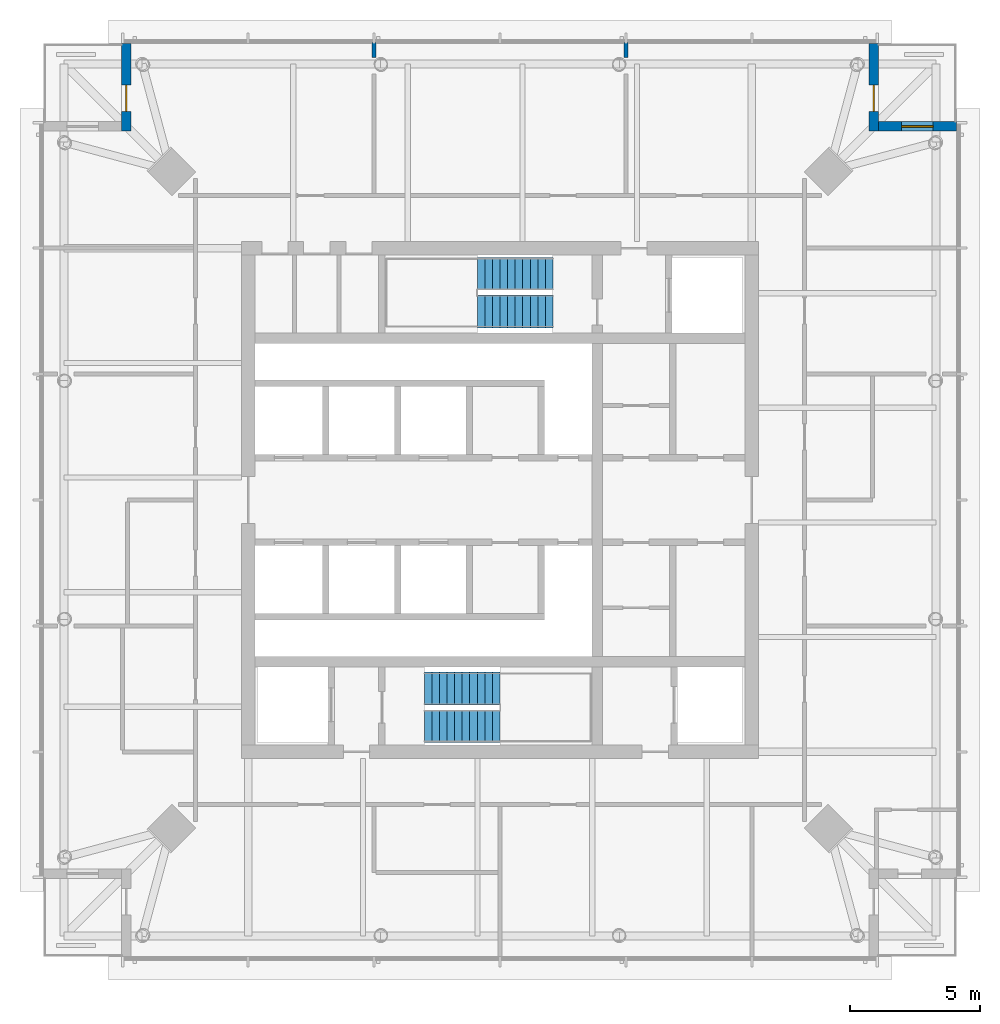
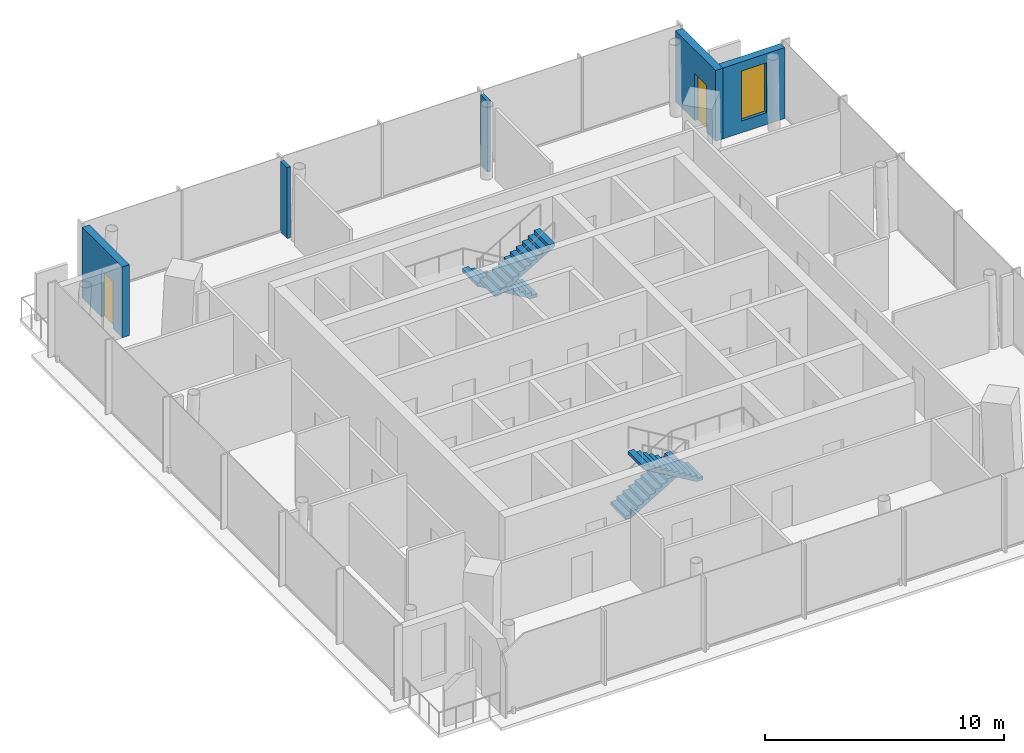
# One storey, part 6 of 11: 5 walls, 4 stair flights, 2 doors, 1 window, 3 openings, 2 elements without a shape of their own.
"""IFC4 building model written with IfcOpenShell, lengths in metres."""

import ifcopenshell
import ifcopenshell.guid

model = None  # the IFC model being written
_history = None  # IfcOwnerHistory: only IFC2X3 demands one
_inside = {}  # id of a spatial element -> (the spatial element, [elements in it])
_under = {}  # id of a project, library or spatial element -> (it, [spatial elements below it])
_declared = {}  # id of a project -> (the project, [libraries it declares])
_typed = {}  # id of a type object -> (the type object, [elements of that type])
_made_of = {}  # id of a material, layer set ... -> (it, [elements and type objects made of it])


def new_model(schema):
    """Start an empty IFC model of exactly this schema.

    Asked for "IFC4X3", IfcOpenShell would pick the latest addendum, in which some entities
    have other attributes; the version numbers below select the first issue.
    IFC2X3 requires an IfcOwnerHistory on every rooted entity: one is made here for all.
    """
    global model, _history
    if schema == "IFC4X3":
        model = ifcopenshell.file(schema_version=(4, 3, 0, 0))
    else:
        model = ifcopenshell.file(schema=schema)
    _inside.clear()
    _under.clear()
    _declared.clear()
    _typed.clear()
    _made_of.clear()
    _history = None
    if model.schema == "IFC2X3":
        org = make("IfcOrganization", Name="unknown")
        user = make(
            "IfcPersonAndOrganization",
            ThePerson=make("IfcPerson", FamilyName="unknown"),
            TheOrganization=org,
        )
        app = make(
            "IfcApplication",
            ApplicationDeveloper=org,
            Version="unknown",
            ApplicationFullName="unknown",
            ApplicationIdentifier="unknown",
        )
        _history = make(
            "IfcOwnerHistory",
            OwningUser=user,
            OwningApplication=app,
            ChangeAction="ADDED",
            CreationDate=0,
        )
    return model


def make(cls, **values):
    """One entity of the class cls with the attributes given. An attribute that is None is left unset."""
    return model.create_entity(
        cls, **{name: value for name, value in values.items() if value is not None}
    )


def rooted(cls, **values):
    """An entity with a GlobalId (a new one), such as an element, a storey or a relation."""
    return make(cls, GlobalId=ifcopenshell.guid.new(), OwnerHistory=_history, **values)


def si_unit(unit_type, name, prefix=None):
    """IfcSIUnit, for example si_unit("LENGTHUNIT", "METRE", prefix="MILLI")."""
    return make("IfcSIUnit", UnitType=unit_type, Prefix=prefix, Name=name)


def assignment(units):
    """IfcUnitAssignment: the units of a project."""
    return None if units is None else make("IfcUnitAssignment", Units=units)


def point(xyz):
    """IfcCartesianPoint."""
    return None if xyz is None else make("IfcCartesianPoint", Coordinates=xyz)


def direction(xyz):
    """IfcDirection."""
    return None if xyz is None else make("IfcDirection", DirectionRatios=xyz)


def frame(location, z_axis=None, x_axis=None):
    """IfcAxis2Placement3D, a coordinate frame: its origin and axes. An axis left out is left unset."""
    return make(
        "IfcAxis2Placement3D",
        Location=point(location),
        Axis=direction(z_axis),
        RefDirection=direction(x_axis),
    )


def frame_2d(location, x_axis=None):
    """IfcAxis2Placement2D, a coordinate frame in the plane: its origin and x axis."""
    return make(
        "IfcAxis2Placement2D", Location=point(location), RefDirection=direction(x_axis)
    )


def origin():
    """The frame at (0, 0, 0) with its axes left unset."""
    return frame((0.0, 0.0, 0.0))


def place(relative_to, where):
    """IfcLocalPlacement: puts the frame where relative to a parent placement (None: the world)."""
    return make(
        "IfcLocalPlacement", PlacementRelTo=relative_to, RelativePlacement=where
    )


def context(
    kind, dimensions, precision=None, world=None, true_north=None, identifier=None
):
    """IfcGeometricRepresentationContext, for example the 3D "Model" context."""
    return make(
        "IfcGeometricRepresentationContext",
        ContextIdentifier=identifier,
        ContextType=kind,
        CoordinateSpaceDimension=dimensions,
        Precision=precision,
        WorldCoordinateSystem=world,
        TrueNorth=true_north,
    )


def subcontext(parent, identifier, kind, view, scale=None):
    """IfcGeometricRepresentationSubContext, for example "Body" below "Model"."""
    return make(
        "IfcGeometricRepresentationSubContext",
        ContextIdentifier=identifier,
        ContextType=kind,
        ParentContext=parent,
        TargetScale=scale,
        TargetView=view,
    )


def project(units=None, contexts=None):
    """IfcProject with its units and contexts."""
    return rooted(
        "IfcProject",
        Name="project",
        RepresentationContexts=contexts,
        UnitsInContext=assignment(units),
    )


def spatial(cls, under=None, at=None, **own):
    """A site, building, storey or space (cls), placed at a placement, below another one or the project."""
    s = rooted(cls, ObjectPlacement=at, **own)
    if under is not None:
        _under.setdefault(under.id(), (under, []))[1].append(s)
    return s


def polyline(points):
    """IfcPolyline through the points."""
    return make("IfcPolyline", Points=[point(p) for p in points])


def profile(cls, at=None, kind="AREA", **sizes):
    """A parametric profile (cls). Its sizes go by their IFC names, for example OverallWidth=200.0."""
    return make(cls, ProfileType=kind, Position=at, **sizes)


def rectangle(**sizes):
    """IfcRectangleProfileDef."""
    return profile("IfcRectangleProfileDef", **sizes)


def outline(outer, holes=None, kind="AREA"):
    """IfcArbitraryClosedProfileDef: a profile drawn as a closed curve; with holes, ...WithVoids."""
    if holes is None:
        return make("IfcArbitraryClosedProfileDef", ProfileType=kind, OuterCurve=outer)
    return make(
        "IfcArbitraryProfileDefWithVoids",
        ProfileType=kind,
        OuterCurve=outer,
        InnerCurves=holes,
    )


def extrude(swept, where, along, depth):
    """IfcExtrudedAreaSolid: the profile swept, set in the frame where, extruded along a direction by depth."""
    return make(
        "IfcExtrudedAreaSolid",
        SweptArea=swept,
        Position=where,
        ExtrudedDirection=direction(along),
        Depth=depth,
    )


def shape(context_of_items, identifier, shape_type, items):
    """IfcShapeRepresentation: the items that make up one representation, for example the "Body"."""
    return make(
        "IfcShapeRepresentation",
        ContextOfItems=context_of_items,
        RepresentationIdentifier=identifier,
        RepresentationType=shape_type,
        Items=items,
    )


def material(Name=None, Category=None):
    """IfcMaterial."""
    return make("IfcMaterial", Name=Name, Category=Category)


def layer(
    of_material, thickness, ventilated=None, Name=None, Category=None, Priority=None
):
    """IfcMaterialLayer: one layer of a wall or slab, of a material (None: an air gap)."""
    return make(
        "IfcMaterialLayer",
        Material=of_material,
        LayerThickness=thickness,
        IsVentilated=ventilated,
        Name=Name,
        Category=Category,
        Priority=Priority,
    )


def layer_set(layers, Name=None):
    """IfcMaterialLayerSet."""
    return make("IfcMaterialLayerSet", MaterialLayers=layers, LayerSetName=Name)


def made_of(thing, what):
    """Note that an element or type object is made of a material, layer set ...; save() writes the relation."""
    if what is not None:
        _made_of.setdefault(what.id(), (what, []))[1].append(thing)
    return thing


def type_object(cls, material=None, **own):
    """A type object (cls), such as IfcWallType, which elements share."""
    return made_of(rooted(cls, **own), material)


def element(
    cls,
    number,
    at=None,
    inside=None,
    cuts=None,
    type_object=None,
    material=None,
    context=None,
    identifier="Body",
    shape_type=None,
    held_by="IfcProductDefinitionShape",
    body=None,
    shapes=None,
    **own,
):
    """One element of the class cls, such as IfcWall. Its Tag is "e" and its number.

    at: its placement. inside: the storey or other place that contains it. cuts: it is an
    opening in that element (IfcRelVoidsElement). A single representation is given by context,
    identifier, shape_type and body (its items); several are given by shapes. held_by: the class
    of the entity that holds the representations. save() writes the other relations.
    """
    e = rooted(cls, Tag="e%d" % number, ObjectPlacement=at, **own)
    if body is not None:
        shapes = [shape(context, identifier, shape_type, body)]
    if shapes is not None:
        e.Representation = make(held_by, Representations=shapes)
    if inside is not None:
        _inside.setdefault(inside.id(), (inside, []))[1].append(e)
    if cuts is not None:
        rooted(
            "IfcRelVoidsElement", RelatingBuildingElement=cuts, RelatedOpeningElement=e
        )
    if type_object is not None:
        _typed.setdefault(type_object.id(), (type_object, []))[1].append(e)
    return made_of(e, material)


def fill(opening, filler):
    """IfcRelFillsElement: the door or window that sits in an opening."""
    return rooted(
        "IfcRelFillsElement",
        RelatingOpeningElement=opening,
        RelatedBuildingElement=filler,
    )


def aggregate(whole, parts):
    """IfcRelAggregates: a whole, such as a stair, and the parts it consists of."""
    return rooted("IfcRelAggregates", RelatingObject=whole, RelatedObjects=parts)


def save(model, path):
    """Write the relations noted so far, then the file.

    IfcRelAggregates (storeys below a building ...), IfcRelContainedInSpatialStructure (elements
    in a storey), IfcRelDefinesByType, IfcRelAssociatesMaterial and IfcRelDeclares: one each for
    every whole, place, type object, material and project.
    """
    for whole, parts in _under.values():
        aggregate(whole, parts)
    for where, things in _inside.values():
        rooted(
            "IfcRelContainedInSpatialStructure",
            RelatedElements=things,
            RelatingStructure=where,
        )
    for kind, things in _typed.values():
        rooted("IfcRelDefinesByType", RelatedObjects=things, RelatingType=kind)
    for what, things in _made_of.values():
        rooted("IfcRelAssociatesMaterial", RelatedObjects=things, RelatingMaterial=what)
    for by, libraries in _declared.values():
        rooted("IfcRelDeclares", RelatingContext=by, RelatedDefinitions=libraries)
    model.write(path)


model = new_model("IFC4")

# Units and contexts
model_context = context("Model", 3, precision=1e-05, world=origin(), true_north=direction((0.0, 1.0)))
body_context = subcontext(model_context, "Body", "Model", "MODEL_VIEW")
ifc_project = project(units=[si_unit("LENGTHUNIT", "METRE"), si_unit("AREAUNIT", "SQUARE_METRE"), si_unit("VOLUMEUNIT", "CUBIC_METRE"), si_unit("PLANEANGLEUNIT", "RADIAN"), si_unit("MASSUNIT", "GRAM", prefix="KILO")], contexts=[model_context])

# Site, building, storey
site_placement = place(None, origin())
site = spatial("IfcSite", under=ifc_project, at=site_placement, CompositionType="ELEMENT")
building_placement = place(site_placement, origin())
building = spatial("IfcBuilding", under=site, at=building_placement, Name="Ostroluk Exchange", CompositionType="ELEMENT")
storey_placement = place(building_placement, frame((0.0, 0.0, 249.0)))
storey = spatial("IfcBuildingStorey", under=building, at=storey_placement, Name="L64", CompositionType="ELEMENT", Elevation=249.0)

# Wall, opening, door
ifc_material_1 = material(Name="Limestone", Category="masonry")
ifc_layer_1 = layer(ifc_material_1, 0.35009765625)
ifc_layer_set_1 = layer_set([ifc_layer_1], Name="Limestone facade wall 350")
wall_type_1 = type_object("IfcWallType", Name="Limestone facade wall 350", PredefinedType="SOLIDWALL", material=ifc_layer_set_1)
wall_1_placement = place(storey_placement, frame((59.324951171875, 63.5, 0.0), z_axis=(0.0, 0.0, 1.0), x_axis=(0.0, -1.0, 0.0)))
wall_1 = element("IfcWall", 1, at=wall_1_placement, inside=storey, type_object=wall_type_1, Name="Office tower NE corner wall L64 a", PredefinedType="SOLIDWALL", context=body_context, shape_type="SweptSolid", body=[
    extrude(rectangle(XDim=3.35009765625, YDim=0.35009765625, at=frame_2d((1.675048828125, 0.0))), origin(), (0.0, 0.0, 1.0), 3.6201171875),
])
opening_1_placement = place(wall_1_placement, frame((1.60009765625, 0.0, 0.0)))
opening_1 = element("IfcOpeningElement", 2, at=opening_1_placement, cuts=wall_1, Name="Opening D-B1", PredefinedType="OPENING", context=body_context, shape_type="SweptSolid", body=[
    extrude(rectangle(XDim=1.0, YDim=2.39990234375, at=frame_2d((0.5, 1.199951171875))), frame((0.0, 0.18505859375, 0.0), z_axis=(0.0, -1.0, 0.0), x_axis=(1.0, 0.0, 0.0)), (0.0, 0.0, 1.0), 0.3701171875),
])
ifc_material_2 = material(Name="Bronze framed glazed door", Category="aluminium")
door_type = type_object("IfcDoorType", Name="Balcony door 1000 x 2400", OperationType="SINGLE_SWING_LEFT", PredefinedType="DOOR", material=ifc_material_2)
door_1_placement = place(opening_1_placement, origin())
door_1 = element("IfcDoor", 3, at=door_1_placement, inside=storey, type_object=door_type, Name="Office tower NE balcony door L64", OperationType="SINGLE_SWING_RIGHT", OverallHeight=2.39990234375, OverallWidth=1.0, PredefinedType="DOOR", context=body_context, shape_type="SweptSolid", body=[
    extrude(rectangle(XDim=1.0, YDim=2.39990234375, at=frame_2d((0.5, 1.199951171875))), frame((0.0, 0.02490234375, 0.0), z_axis=(0.0, -1.0, 0.0), x_axis=(1.0, 0.0, 0.0)), (0.0, 0.0, 1.0), 0.050048828125),
])
fill(opening_1, door_1)

# Wall, opening, window
wall_2_placement = place(storey_placement, frame((59.5, 60.324951171875, 0.0), z_axis=(0.0, 0.0, 1.0), x_axis=(1.0, 0.0, 0.0)))
wall_2 = element("IfcWall", 4, at=wall_2_placement, inside=storey, type_object=wall_type_1, Name="Office tower NE corner wall L64 b", PredefinedType="SOLIDWALL", context=body_context, shape_type="SweptSolid", body=[
    extrude(rectangle(XDim=3.0, YDim=0.35009765625, at=frame_2d((1.5, 0.0))), origin(), (0.0, 0.0, 1.0), 3.6201171875),
])
opening_2_placement = place(wall_2_placement, frame((0.89990234375, 0.0, 0.60009765625)))
opening_2 = element("IfcOpeningElement", 5, at=opening_2_placement, cuts=wall_2, Name="Opening WN-L1", PredefinedType="OPENING", context=body_context, shape_type="SweptSolid", body=[
    extrude(rectangle(XDim=1.199951171875, YDim=2.550048828125, at=frame_2d((0.60009765625, 1.27490234375))), frame((0.0, 0.18505859375, 0.0), z_axis=(0.0, -1.0, 0.0), x_axis=(1.0, 0.0, 0.0)), (0.0, 0.0, 1.0), 0.3701171875),
])
ifc_material_3 = material(Name="Laminated clear glass", Category="glass")
window_type = type_object("IfcWindowType", Name="Lancet window 1200 x 2550", PartitioningType="SINGLE_PANEL", PredefinedType="WINDOW", material=ifc_material_3)
window_placement = place(opening_2_placement, origin())
window = element("IfcWindow", 6, at=window_placement, inside=storey, type_object=window_type, Name="Office tower NE lancet window L64", OverallHeight=2.550048828125, OverallWidth=1.199951171875, PartitioningType="SINGLE_PANEL", PredefinedType="WINDOW", context=body_context, shape_type="SweptSolid", body=[
    extrude(rectangle(XDim=1.199951171875, YDim=2.550048828125, at=frame_2d((0.60009765625, 1.27490234375))), frame((0.0, 0.030029296875, 0.0), z_axis=(0.0, -1.0, 0.0), x_axis=(1.0, 0.0, 0.0)), (0.0, 0.0, 1.0), 0.06005859375),
])
fill(opening_2, window)

# Wall, opening, door
wall_3_placement = place(storey_placement, frame((30.675048828125, 63.5, 0.0), z_axis=(0.0, 0.0, 1.0), x_axis=(0.0, -1.0, 0.0)))
wall_3 = element("IfcWall", 7, at=wall_3_placement, inside=storey, type_object=wall_type_1, Name="Office tower NW corner wall L64 a", PredefinedType="SOLIDWALL", context=body_context, shape_type="SweptSolid", body=[
    extrude(rectangle(XDim=3.35009765625, YDim=0.35009765625, at=frame_2d((1.675048828125, 0.0))), origin(), (0.0, 0.0, 1.0), 3.6201171875),
])
opening_3_placement = place(wall_3_placement, frame((1.60009765625, 0.0, 0.0)))
opening_3 = element("IfcOpeningElement", 8, at=opening_3_placement, cuts=wall_3, Name="Opening D-B1", PredefinedType="OPENING", context=body_context, shape_type="SweptSolid", body=[
    extrude(rectangle(XDim=1.0, YDim=2.39990234375, at=frame_2d((0.5, 1.199951171875))), frame((0.0, 0.18505859375, 0.0), z_axis=(0.0, -1.0, 0.0), x_axis=(1.0, 0.0, 0.0)), (0.0, 0.0, 1.0), 0.3701171875),
])
door_2_placement = place(opening_3_placement, origin())
door_2 = element("IfcDoor", 9, at=door_2_placement, inside=storey, type_object=door_type, Name="Office tower NW balcony door L64", OperationType="SINGLE_SWING_RIGHT", OverallHeight=2.39990234375, OverallWidth=1.0, PredefinedType="DOOR", context=body_context, shape_type="SweptSolid", body=[
    extrude(rectangle(XDim=1.0, YDim=2.39990234375, at=frame_2d((0.5, 1.199951171875))), frame((0.0, 0.02490234375, 0.0), z_axis=(0.0, -1.0, 0.0), x_axis=(1.0, 0.0, 0.0)), (0.0, 0.0, 1.0), 0.050048828125),
])
fill(opening_3, door_2)

# Walls
ifc_material_4 = material(Name="Gypsum plasterboard partition", Category="gypsum")
ifc_layer_2 = layer(ifc_material_4, 0.14990234375)
ifc_layer_set_2 = layer_set([ifc_layer_2], Name="Plasterboard partition 150")
wall_type_2 = type_object("IfcWallType", Name="Plasterboard partition 150", PredefinedType="PARTITIONING", material=ifc_layer_set_2)
for number, where, z_axis, x_axis, name in (
    (10, (49.833251953125, 62.96826171875, 0.0), (0.0, 0.0, 1.0), (0.0, 1.0, 0.0), "Partition"),
    (11, (40.166748046875, 62.96826171875, 0.0), (0.0, 0.0, 1.0), (0.0, 1.0, 0.0), "Partition"),
):
    element("IfcWall", number, at=place(storey_placement, frame(where, z_axis=z_axis, x_axis=x_axis)), inside=storey, type_object=wall_type_2, Name=name, PredefinedType="PARTITIONING", context=body_context, shape_type="SweptSolid", body=[
        extrude(rectangle(XDim=0.57177734375, YDim=0.14990234375, at=frame_2d((0.285888671875, 0.0))), origin(), (0.0, 0.0, 1.0), 3.6201171875),
    ])

# Stair, stair flights
ifc_material_5 = material(Name="Concrete C30/37", Category="concrete")
stair_type = type_object("IfcStairType", Name="Exit stair half turn 3800", PredefinedType="HALF_TURN_STAIR", material=ifc_material_5)
stair_1_placement = place(storey_placement, origin())
stair_1 = element("IfcStair", 12, at=stair_1_placement, inside=storey, type_object=stair_type, Name="Stair T1-S1 L64", PredefinedType="HALF_TURN_STAIR")
ifc_material_6 = material(Name="Concrete C30/37", Category="concrete")
stair_flight_type = type_object("IfcStairFlightType", Name="Stair flight 11 risers 172.7 x 290", PredefinedType="STRAIGHT", material=ifc_material_6)
stair_flight_1_placement = place(storey_placement, frame((42.10009765625, 38.77490234375, 0.0), z_axis=(0.0, 0.0, 1.0), x_axis=(1.0, 0.0, 0.0)))
stair_flight_1 = element("IfcStairFlight", 13, at=stair_flight_1_placement, type_object=stair_flight_type, Name="T1-S1 flight 1", NumberOfRisers=11, NumberOfTreads=10, PredefinedType="STRAIGHT", RiserHeight=0.172727273, TreadLength=0.29, context=body_context, shape_type="SweptSolid", body=[
    extrude(outline(polyline([(0.0, 0.0), (0.0, 0.172607421875), (0.2900390625, 0.172607421875), (0.2900390625, 0.345458984375), (0.580078125, 0.345458984375), (0.580078125, 0.51806640625), (0.8701171875, 0.51806640625), (0.8701171875, 0.69091796875), (1.159912109375, 0.69091796875), (1.159912109375, 0.863525390625), (1.449951171875, 0.863525390625), (1.449951171875, 1.036376953125), (1.739990234375, 1.036376953125), (1.739990234375, 1.208984375), (2.030029296875, 1.208984375), (2.030029296875, 1.3818359375), (2.320068359375, 1.3818359375), (2.320068359375, 1.554443359375), (2.610107421875, 1.554443359375), (2.610107421875, 1.727294921875), (2.89990234375, 1.727294921875), (2.89990234375, 1.89990234375), (2.89990234375, 1.552734375), (0.29296875, 0.0), (0.0, 0.0)])), frame((0.0, 0.625, 0.0), z_axis=(0.0, -1.0, 0.0), x_axis=(1.0, 0.0, 0.0)), (0.0, 0.0, 1.0), 1.25),
])
stair_flight_2_placement = place(storey_placement, frame((45.0, 37.324951171875, 1.89990234375), z_axis=(0.0, 0.0, 1.0), x_axis=(-1.0, 0.0, 0.0)))
stair_flight_2 = element("IfcStairFlight", 14, at=stair_flight_2_placement, type_object=stair_flight_type, Name="T1-S1 flight 2", NumberOfRisers=11, NumberOfTreads=10, PredefinedType="STRAIGHT", RiserHeight=0.172727273, TreadLength=0.29, context=body_context, shape_type="SweptSolid", body=[
    extrude(outline(polyline([(0.0, 0.0), (0.0, 0.172607421875), (0.2900390625, 0.172607421875), (0.2900390625, 0.345458984375), (0.580078125, 0.345458984375), (0.580078125, 0.51806640625), (0.8701171875, 0.51806640625), (0.8701171875, 0.69091796875), (1.159912109375, 0.69091796875), (1.159912109375, 0.863525390625), (1.449951171875, 0.863525390625), (1.449951171875, 1.036376953125), (1.739990234375, 1.036376953125), (1.739990234375, 1.208984375), (2.030029296875, 1.208984375), (2.030029296875, 1.3818359375), (2.320068359375, 1.3818359375), (2.320068359375, 1.554443359375), (2.610107421875, 1.554443359375), (2.610107421875, 1.727294921875), (2.89990234375, 1.727294921875), (2.89990234375, 1.89990234375), (2.89990234375, 1.552734375), (0.29296875, 0.0), (0.0, 0.0)])), frame((0.0, 0.625, 0.0), z_axis=(0.0, -1.0, 0.0), x_axis=(1.0, 0.0, 0.0)), (0.0, 0.0, 1.0), 1.25),
])
aggregate(stair_1, [stair_flight_1, stair_flight_2])

stair_2_placement = place(storey_placement, origin())
stair_2 = element("IfcStair", 15, at=stair_2_placement, inside=storey, type_object=stair_type, Name="Stair T1-S2 L64", PredefinedType="HALF_TURN_STAIR")
stair_flight_3_placement = place(storey_placement, frame((47.030029296875, 54.675048828125, 0.0), z_axis=(0.0, 0.0, 1.0), x_axis=(-1.0, 0.0, 0.0)))
stair_flight_3 = element("IfcStairFlight", 16, at=stair_flight_3_placement, type_object=stair_flight_type, Name="T1-S2 flight 1", NumberOfRisers=11, NumberOfTreads=10, PredefinedType="STRAIGHT", RiserHeight=0.172727273, TreadLength=0.29, context=body_context, shape_type="SweptSolid", body=[
    extrude(outline(polyline([(0.0, 0.0), (0.0, 0.172607421875), (0.2900390625, 0.172607421875), (0.2900390625, 0.345458984375), (0.580078125, 0.345458984375), (0.580078125, 0.51806640625), (0.8701171875, 0.51806640625), (0.8701171875, 0.69091796875), (1.159912109375, 0.69091796875), (1.159912109375, 0.863525390625), (1.449951171875, 0.863525390625), (1.449951171875, 1.036376953125), (1.739990234375, 1.036376953125), (1.739990234375, 1.208984375), (2.030029296875, 1.208984375), (2.030029296875, 1.3818359375), (2.320068359375, 1.3818359375), (2.320068359375, 1.554443359375), (2.610107421875, 1.554443359375), (2.610107421875, 1.727294921875), (2.89990234375, 1.727294921875), (2.89990234375, 1.89990234375), (2.89990234375, 1.552734375), (0.29296875, 0.0), (0.0, 0.0)])), frame((0.0, 0.625, 0.0), z_axis=(0.0, -1.0, 0.0), x_axis=(1.0, 0.0, 0.0)), (0.0, 0.0, 1.0), 1.25),
])
stair_flight_4_placement = place(storey_placement, frame((44.1298828125, 53.22509765625, 1.89990234375), z_axis=(0.0, 0.0, 1.0), x_axis=(1.0, 0.0, 0.0)))
stair_flight_4 = element("IfcStairFlight", 17, at=stair_flight_4_placement, type_object=stair_flight_type, Name="T1-S2 flight 2", NumberOfRisers=11, NumberOfTreads=10, PredefinedType="STRAIGHT", RiserHeight=0.172727273, TreadLength=0.29, context=body_context, shape_type="SweptSolid", body=[
    extrude(outline(polyline([(0.0, 0.0), (0.0, 0.172607421875), (0.2900390625, 0.172607421875), (0.2900390625, 0.345458984375), (0.580078125, 0.345458984375), (0.580078125, 0.51806640625), (0.8701171875, 0.51806640625), (0.8701171875, 0.69091796875), (1.159912109375, 0.69091796875), (1.159912109375, 0.863525390625), (1.449951171875, 0.863525390625), (1.449951171875, 1.036376953125), (1.739990234375, 1.036376953125), (1.739990234375, 1.208984375), (2.030029296875, 1.208984375), (2.030029296875, 1.3818359375), (2.320068359375, 1.3818359375), (2.320068359375, 1.554443359375), (2.610107421875, 1.554443359375), (2.610107421875, 1.727294921875), (2.89990234375, 1.727294921875), (2.89990234375, 1.89990234375), (2.89990234375, 1.552734375), (0.29296875, 0.0), (0.0, 0.0)])), frame((0.0, 0.625, 0.0), z_axis=(0.0, -1.0, 0.0), x_axis=(1.0, 0.0, 0.0)), (0.0, 0.0, 1.0), 1.25),
])
aggregate(stair_2, [stair_flight_3, stair_flight_4])

save(model, "model.ifc")
